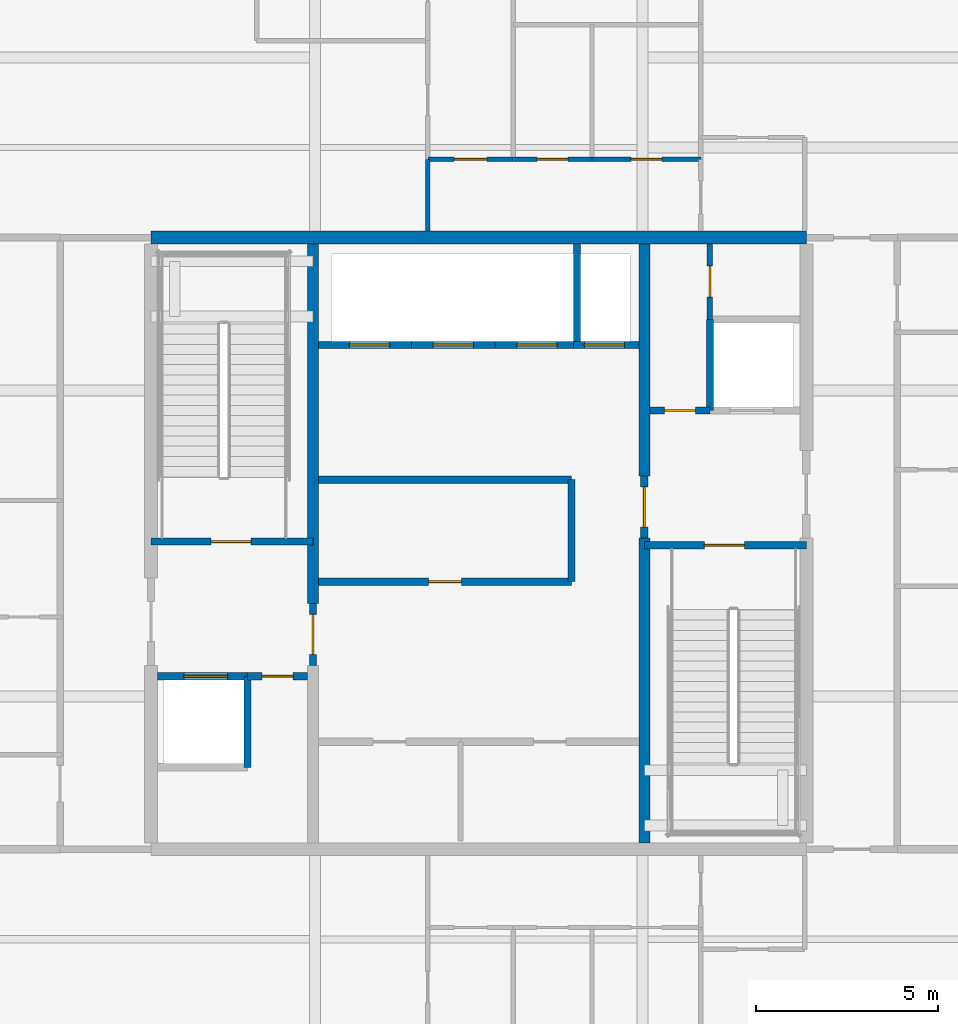
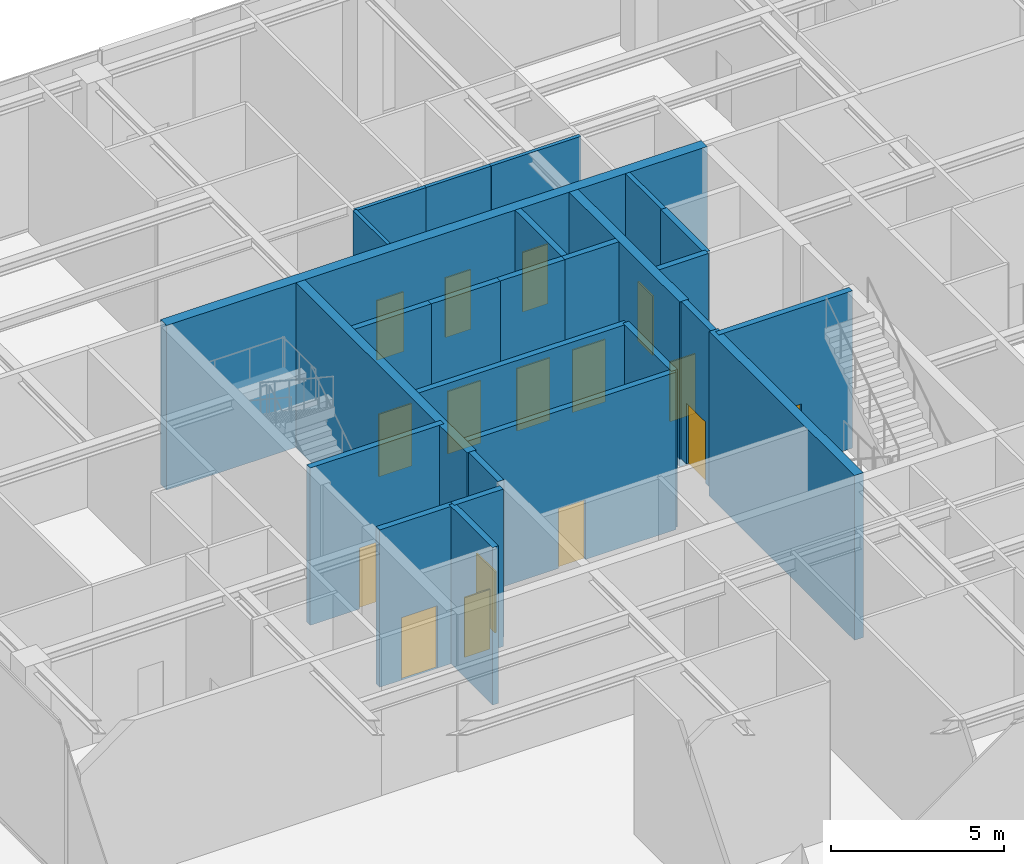
# One storey, part 27 of 38: 26 walls, 16 doors, 16 openings.
"""IFC4 building model written with IfcOpenShell, lengths in metres."""

import ifcopenshell
import ifcopenshell.guid

model = None  # the IFC model being written
_history = None  # IfcOwnerHistory: only IFC2X3 demands one
_inside = {}  # id of a spatial element -> (the spatial element, [elements in it])
_under = {}  # id of a project, library or spatial element -> (it, [spatial elements below it])
_declared = {}  # id of a project -> (the project, [libraries it declares])
_typed = {}  # id of a type object -> (the type object, [elements of that type])
_made_of = {}  # id of a material, layer set ... -> (it, [elements and type objects made of it])


def new_model(schema):
    """Start an empty IFC model of exactly this schema.

    Asked for "IFC4X3", IfcOpenShell would pick the latest addendum, in which some entities
    have other attributes; the version numbers below select the first issue.
    IFC2X3 requires an IfcOwnerHistory on every rooted entity: one is made here for all.
    """
    global model, _history
    if schema == "IFC4X3":
        model = ifcopenshell.file(schema_version=(4, 3, 0, 0))
    else:
        model = ifcopenshell.file(schema=schema)
    _inside.clear()
    _under.clear()
    _declared.clear()
    _typed.clear()
    _made_of.clear()
    _history = None
    if model.schema == "IFC2X3":
        org = make("IfcOrganization", Name="unknown")
        user = make(
            "IfcPersonAndOrganization",
            ThePerson=make("IfcPerson", FamilyName="unknown"),
            TheOrganization=org,
        )
        app = make(
            "IfcApplication",
            ApplicationDeveloper=org,
            Version="unknown",
            ApplicationFullName="unknown",
            ApplicationIdentifier="unknown",
        )
        _history = make(
            "IfcOwnerHistory",
            OwningUser=user,
            OwningApplication=app,
            ChangeAction="ADDED",
            CreationDate=0,
        )
    return model


def make(cls, **values):
    """One entity of the class cls with the attributes given. An attribute that is None is left unset."""
    return model.create_entity(
        cls, **{name: value for name, value in values.items() if value is not None}
    )


def rooted(cls, **values):
    """An entity with a GlobalId (a new one), such as an element, a storey or a relation."""
    return make(cls, GlobalId=ifcopenshell.guid.new(), OwnerHistory=_history, **values)


def si_unit(unit_type, name, prefix=None):
    """IfcSIUnit, for example si_unit("LENGTHUNIT", "METRE", prefix="MILLI")."""
    return make("IfcSIUnit", UnitType=unit_type, Prefix=prefix, Name=name)


def assignment(units):
    """IfcUnitAssignment: the units of a project."""
    return None if units is None else make("IfcUnitAssignment", Units=units)


def point(xyz):
    """IfcCartesianPoint."""
    return None if xyz is None else make("IfcCartesianPoint", Coordinates=xyz)


def direction(xyz):
    """IfcDirection."""
    return None if xyz is None else make("IfcDirection", DirectionRatios=xyz)


def frame(location, z_axis=None, x_axis=None):
    """IfcAxis2Placement3D, a coordinate frame: its origin and axes. An axis left out is left unset."""
    return make(
        "IfcAxis2Placement3D",
        Location=point(location),
        Axis=direction(z_axis),
        RefDirection=direction(x_axis),
    )


def frame_2d(location, x_axis=None):
    """IfcAxis2Placement2D, a coordinate frame in the plane: its origin and x axis."""
    return make(
        "IfcAxis2Placement2D", Location=point(location), RefDirection=direction(x_axis)
    )


def origin():
    """The frame at (0, 0, 0) with its axes left unset."""
    return frame((0.0, 0.0, 0.0))


def place(relative_to, where):
    """IfcLocalPlacement: puts the frame where relative to a parent placement (None: the world)."""
    return make(
        "IfcLocalPlacement", PlacementRelTo=relative_to, RelativePlacement=where
    )


def context(
    kind, dimensions, precision=None, world=None, true_north=None, identifier=None
):
    """IfcGeometricRepresentationContext, for example the 3D "Model" context."""
    return make(
        "IfcGeometricRepresentationContext",
        ContextIdentifier=identifier,
        ContextType=kind,
        CoordinateSpaceDimension=dimensions,
        Precision=precision,
        WorldCoordinateSystem=world,
        TrueNorth=true_north,
    )


def subcontext(parent, identifier, kind, view, scale=None):
    """IfcGeometricRepresentationSubContext, for example "Body" below "Model"."""
    return make(
        "IfcGeometricRepresentationSubContext",
        ContextIdentifier=identifier,
        ContextType=kind,
        ParentContext=parent,
        TargetScale=scale,
        TargetView=view,
    )


def project(units=None, contexts=None):
    """IfcProject with its units and contexts."""
    return rooted(
        "IfcProject",
        Name="project",
        RepresentationContexts=contexts,
        UnitsInContext=assignment(units),
    )


def spatial(cls, under=None, at=None, **own):
    """A site, building, storey or space (cls), placed at a placement, below another one or the project."""
    s = rooted(cls, ObjectPlacement=at, **own)
    if under is not None:
        _under.setdefault(under.id(), (under, []))[1].append(s)
    return s


def profile(cls, at=None, kind="AREA", **sizes):
    """A parametric profile (cls). Its sizes go by their IFC names, for example OverallWidth=200.0."""
    return make(cls, ProfileType=kind, Position=at, **sizes)


def rectangle(**sizes):
    """IfcRectangleProfileDef."""
    return profile("IfcRectangleProfileDef", **sizes)


def extrude(swept, where, along, depth):
    """IfcExtrudedAreaSolid: the profile swept, set in the frame where, extruded along a direction by depth."""
    return make(
        "IfcExtrudedAreaSolid",
        SweptArea=swept,
        Position=where,
        ExtrudedDirection=direction(along),
        Depth=depth,
    )


def shape(context_of_items, identifier, shape_type, items):
    """IfcShapeRepresentation: the items that make up one representation, for example the "Body"."""
    return make(
        "IfcShapeRepresentation",
        ContextOfItems=context_of_items,
        RepresentationIdentifier=identifier,
        RepresentationType=shape_type,
        Items=items,
    )


def source(mapping_origin, context_of_items, identifier, shape_type, items):
    """IfcRepresentationMap: a shape defined once, which mapped items show again and again."""
    return make(
        "IfcRepresentationMap",
        MappingOrigin=mapping_origin,
        MappedRepresentation=shape(context_of_items, identifier, shape_type, items),
    )


def transform(
    local_origin,
    x_axis=None,
    y_axis=None,
    z_axis=None,
    scale=None,
    scale2=None,
    scale3=None,
    uniform=True,
):
    """IfcCartesianTransformationOperator3D, or its non-uniform kind. x_axis, y_axis, z_axis: its Axis1, 2, 3."""
    if uniform:
        return make(
            "IfcCartesianTransformationOperator3D",
            Axis1=direction(x_axis),
            Axis2=direction(y_axis),
            LocalOrigin=point(local_origin),
            Scale=scale,
            Axis3=direction(z_axis),
        )
    return make(
        "IfcCartesianTransformationOperator3DnonUniform",
        Axis1=direction(x_axis),
        Axis2=direction(y_axis),
        LocalOrigin=point(local_origin),
        Scale=scale,
        Axis3=direction(z_axis),
        Scale2=scale2,
        Scale3=scale3,
    )


def mapped(mapping_source, mapping_target):
    """IfcMappedItem: shows the shape of a source again, moved by a transform."""
    return make(
        "IfcMappedItem", MappingSource=mapping_source, MappingTarget=mapping_target
    )


def material(Name=None, Category=None):
    """IfcMaterial."""
    return make("IfcMaterial", Name=Name, Category=Category)


def layer(
    of_material, thickness, ventilated=None, Name=None, Category=None, Priority=None
):
    """IfcMaterialLayer: one layer of a wall or slab, of a material (None: an air gap)."""
    return make(
        "IfcMaterialLayer",
        Material=of_material,
        LayerThickness=thickness,
        IsVentilated=ventilated,
        Name=Name,
        Category=Category,
        Priority=Priority,
    )


def layer_set(layers, Name=None):
    """IfcMaterialLayerSet."""
    return make("IfcMaterialLayerSet", MaterialLayers=layers, LayerSetName=Name)


def made_of(thing, what):
    """Note that an element or type object is made of a material, layer set ...; save() writes the relation."""
    if what is not None:
        _made_of.setdefault(what.id(), (what, []))[1].append(thing)
    return thing


def type_object(cls, material=None, **own):
    """A type object (cls), such as IfcWallType, which elements share."""
    return made_of(rooted(cls, **own), material)


def element(
    cls,
    number,
    at=None,
    inside=None,
    cuts=None,
    type_object=None,
    material=None,
    context=None,
    identifier="Body",
    shape_type=None,
    held_by="IfcProductDefinitionShape",
    body=None,
    shapes=None,
    **own,
):
    """One element of the class cls, such as IfcWall. Its Tag is "e" and its number.

    at: its placement. inside: the storey or other place that contains it. cuts: it is an
    opening in that element (IfcRelVoidsElement). A single representation is given by context,
    identifier, shape_type and body (its items); several are given by shapes. held_by: the class
    of the entity that holds the representations. save() writes the other relations.
    """
    e = rooted(cls, Tag="e%d" % number, ObjectPlacement=at, **own)
    if body is not None:
        shapes = [shape(context, identifier, shape_type, body)]
    if shapes is not None:
        e.Representation = make(held_by, Representations=shapes)
    if inside is not None:
        _inside.setdefault(inside.id(), (inside, []))[1].append(e)
    if cuts is not None:
        rooted(
            "IfcRelVoidsElement", RelatingBuildingElement=cuts, RelatedOpeningElement=e
        )
    if type_object is not None:
        _typed.setdefault(type_object.id(), (type_object, []))[1].append(e)
    return made_of(e, material)


def fill(opening, filler):
    """IfcRelFillsElement: the door or window that sits in an opening."""
    return rooted(
        "IfcRelFillsElement",
        RelatingOpeningElement=opening,
        RelatedBuildingElement=filler,
    )


def aggregate(whole, parts):
    """IfcRelAggregates: a whole, such as a stair, and the parts it consists of."""
    return rooted("IfcRelAggregates", RelatingObject=whole, RelatedObjects=parts)


def save(model, path):
    """Write the relations noted so far, then the file.

    IfcRelAggregates (storeys below a building ...), IfcRelContainedInSpatialStructure (elements
    in a storey), IfcRelDefinesByType, IfcRelAssociatesMaterial and IfcRelDeclares: one each for
    every whole, place, type object, material and project.
    """
    for whole, parts in _under.values():
        aggregate(whole, parts)
    for where, things in _inside.values():
        rooted(
            "IfcRelContainedInSpatialStructure",
            RelatedElements=things,
            RelatingStructure=where,
        )
    for kind, things in _typed.values():
        rooted("IfcRelDefinesByType", RelatedObjects=things, RelatingType=kind)
    for what, things in _made_of.values():
        rooted("IfcRelAssociatesMaterial", RelatedObjects=things, RelatingMaterial=what)
    for by, libraries in _declared.values():
        rooted("IfcRelDeclares", RelatingContext=by, RelatedDefinitions=libraries)
    model.write(path)


model = new_model("IFC4")

# Units and contexts
model_context = context("Model", 3, precision=1e-05, world=origin(), true_north=direction((0.0, 1.0)))
body_context = subcontext(model_context, "Body", "Model", "MODEL_VIEW")
ifc_project = project(units=[si_unit("LENGTHUNIT", "METRE"), si_unit("AREAUNIT", "SQUARE_METRE"), si_unit("VOLUMEUNIT", "CUBIC_METRE"), si_unit("PLANEANGLEUNIT", "RADIAN"), si_unit("MASSUNIT", "GRAM", prefix="KILO")], contexts=[model_context])

# Site, building, storey
site_placement = place(None, origin())
site = spatial("IfcSite", under=ifc_project, at=site_placement, CompositionType="ELEMENT")
building_placement = place(site_placement, origin())
building = spatial("IfcBuilding", under=site, at=building_placement, Name="Serunith Strait Residences", CompositionType="ELEMENT")
storey_placement = place(building_placement, frame((0.0, 0.0, 353.85009765625)))
storey = spatial("IfcBuildingStorey", under=building, at=storey_placement, Name="L87", CompositionType="ELEMENT", Elevation=353.85009765625)

# Wall, opening, door
ifc_material_1 = material(Name="Fire-rated masonry service closet wall", Category="masonry")
ifc_layer_1 = layer(ifc_material_1, 0.14990234375, Name="Fire-rated masonry service closet wall")
ifc_layer_set_1 = layer_set([ifc_layer_1], Name="Fire-rated masonry service closet wall")
wall_type_1 = type_object("IfcWallType", Name="IW-BOH-150", PredefinedType="PARTITIONING", material=ifc_layer_set_1)
wall_1_placement = place(storey_placement, frame((38.75, 31.35205078125, 0.0), z_axis=(0.0, 0.0, 1.0), x_axis=(0.0, 1.0, 0.0)))
wall_1 = element("IfcWall", 1, at=wall_1_placement, inside=storey, type_object=wall_type_1, Name="L87 Partition Wall 011", PredefinedType="PARTITIONING", context=body_context, shape_type="SweptSolid", body=[
    extrude(rectangle(XDim=2.072998046875, YDim=0.14990234375, at=frame_2d((1.03662109375, 0.0))), origin(), (0.0, 0.0, 1.0), 5.539794921875),
])
opening_1_placement = place(wall_1_placement, frame((0.611083984375, 0.0, 0.0)))
opening_1 = element("IfcOpeningElement", 2, at=opening_1_placement, cuts=wall_1, Name="Opening FD-850", PredefinedType="OPENING", context=body_context, shape_type="SweptSolid", body=[
    extrude(rectangle(XDim=0.85009765625, YDim=2.10009765625, at=frame_2d((0.425048828125, 1.050048828125))), frame((0.0, 0.0849609375, 0.0), z_axis=(0.0, -1.0, 0.0), x_axis=(1.0, 0.0, 0.0)), (0.0, 0.0, 1.0), 0.169921875),
])
ifc_material_2 = material(Name="Powder-coated steel service closet door", Category="steel")
door_type_1 = type_object("IfcDoorType", Name="FD-BOH-850", OperationType="NOTDEFINED", PredefinedType="DOOR", material=ifc_material_2)
shared_shape_1 = source(origin(), body_context, "Body", "SweptSolid", [
    extrude(rectangle(XDim=0.85009765625, YDim=2.10009765625, at=frame_2d((0.425048828125, 1.050048828125))), frame((0.0, 0.02490234375, 0.0), z_axis=(0.0, -1.0, 0.0), x_axis=(1.0, 0.0, 0.0)), (0.0, 0.0, 1.0), 0.050048828125),
])
door_1_placement = place(opening_1_placement, origin())
door_1 = element("IfcDoor", 3, at=door_1_placement, inside=storey, type_object=door_type_1, Name="L87 ELV Data Closet Door", OperationType="SINGLE_SWING_RIGHT", OverallHeight=2.10009765625, OverallWidth=0.85009765625, PredefinedType="DOOR", context=body_context, shape_type="MappedRepresentation", body=[
    mapped(shared_shape_1, transform((0.0, 0.0, 0.0), scale=1.0)),
])
fill(opening_1, door_1)

ifc_material_3 = material(Name="Lightweight steel-stud gypsum partition", Category="steel")
ifc_layer_2 = layer(ifc_material_3, 0.1201171875, Name="Lightweight steel-stud gypsum partition")
ifc_layer_set_2 = layer_set([ifc_layer_2], Name="Lightweight steel-stud gypsum partition")
wall_type_2 = type_object("IfcWallType", Name="IW-PART-120", PredefinedType="PARTITIONING", material=ifc_layer_set_2)
wall_2_placement = place(storey_placement, frame((33.35009765625, 35.75, 0.0), z_axis=(0.0, 0.0, 1.0), x_axis=(1.0, 0.0, 0.0)))
wall_2 = element("IfcWall", 4, at=wall_2_placement, inside=storey, type_object=wall_type_2, Name="L87 Partition Wall 056", PredefinedType="PARTITIONING", context=body_context, shape_type="SweptSolid", body=[
    extrude(rectangle(XDim=2.162841796875, YDim=0.1201171875, at=frame_2d((1.08154296875, 0.0))), origin(), (0.0, 0.0, 1.0), 5.539794921875),
])
opening_2_placement = place(wall_2_placement, frame((0.656005859375, 0.0, 0.0)))
opening_2 = element("IfcOpeningElement", 5, at=opening_2_placement, cuts=wall_2, Name="Opening D-BTH850", PredefinedType="OPENING", context=body_context, shape_type="SweptSolid", body=[
    extrude(rectangle(XDim=0.85009765625, YDim=2.10009765625, at=frame_2d((0.425048828125, 1.050048828125))), frame((0.0, 0.070068359375, 0.0), z_axis=(0.0, -1.0, 0.0), x_axis=(1.0, 0.0, 0.0)), (0.0, 0.0, 1.0), 0.14013671875),
])
ifc_material_4 = material(Name="Moisture-resistant timber bathroom door", Category="wood")
door_type_2 = type_object("IfcDoorType", Name="ID-BATH-850", OperationType="NOTDEFINED", PredefinedType="DOOR", material=ifc_material_4)
door_2_placement = place(opening_2_placement, origin())
door_2 = element("IfcDoor", 6, at=door_2_placement, inside=storey, type_object=door_type_2, Name="L87 Bathroom 8702 Door", OperationType="SINGLE_SWING_LEFT", OverallHeight=2.10009765625, OverallWidth=0.85009765625, PredefinedType="DOOR", context=body_context, shape_type="MappedRepresentation", body=[
    mapped(shared_shape_1, transform((0.0, 0.0, 0.0), scale=1.0)),
])
fill(opening_2, door_2)

wall_3_placement = place(storey_placement, frame((35.514892578125, 35.75, 0.0), z_axis=(0.0, 0.0, 1.0), x_axis=(1.0, 0.0, 0.0)))
wall_3 = element("IfcWall", 7, at=wall_3_placement, inside=storey, type_object=wall_type_2, Name="L87 Partition Wall 057", PredefinedType="PARTITIONING", context=body_context, shape_type="SweptSolid", body=[
    extrude(rectangle(XDim=2.985107421875, YDim=0.1201171875, at=frame_2d((1.49267578125, 0.0))), origin(), (0.0, 0.0, 1.0), 5.539794921875),
])
opening_3_placement = place(wall_3_placement, frame((1.06689453125, 0.0, 0.0)))
opening_3 = element("IfcOpeningElement", 8, at=opening_3_placement, cuts=wall_3, Name="Opening D-RM850", PredefinedType="OPENING", context=body_context, shape_type="SweptSolid", body=[
    extrude(rectangle(XDim=0.85009765625, YDim=2.10009765625, at=frame_2d((0.425048828125, 1.050048828125))), frame((0.0, 0.070068359375, 0.0), z_axis=(0.0, -1.0, 0.0), x_axis=(1.0, 0.0, 0.0)), (0.0, 0.0, 1.0), 0.14013671875),
])
ifc_material_5 = material(Name="Engineered timber flush study and kitchen door", Category="wood")
door_type_3 = type_object("IfcDoorType", Name="ID-ROOM-850", OperationType="NOTDEFINED", PredefinedType="DOOR", material=ifc_material_5)
door_3_placement = place(opening_3_placement, origin())
door_3 = element("IfcDoor", 9, at=door_3_placement, inside=storey, type_object=door_type_3, Name="L87 Formal Dining Room 8702 Door", OperationType="SINGLE_SWING_RIGHT", OverallHeight=2.10009765625, OverallWidth=0.85009765625, PredefinedType="DOOR", context=body_context, shape_type="MappedRepresentation", body=[
    mapped(shared_shape_1, transform((0.0, 0.0, 0.0), scale=1.0)),
])
fill(opening_3, door_3)

wall_4_placement = place(storey_placement, frame((31.0, 35.75, 0.0), z_axis=(0.0, 0.0, 1.0), x_axis=(1.0, 0.0, 0.0)))
wall_4 = element("IfcWall", 10, at=wall_4_placement, inside=storey, type_object=wall_type_2, Name="L87 Partition Wall 058", PredefinedType="PARTITIONING", context=body_context, shape_type="SweptSolid", body=[
    extrude(rectangle(XDim=2.347900390625, YDim=0.1201171875, at=frame_2d((1.173828125, 0.0))), origin(), (0.0, 0.0, 1.0), 5.539794921875),
])
opening_4_placement = place(wall_4_placement, frame((0.72412109375, 0.0, 0.0)))
opening_4 = element("IfcOpeningElement", 11, at=opening_4_placement, cuts=wall_4, Name="Opening D-RM900", PredefinedType="OPENING", context=body_context, shape_type="SweptSolid", body=[
    extrude(rectangle(XDim=0.89990234375, YDim=2.10009765625, at=frame_2d((0.449951171875, 1.050048828125))), frame((0.0, 0.070068359375, 0.0), z_axis=(0.0, -1.0, 0.0), x_axis=(1.0, 0.0, 0.0)), (0.0, 0.0, 1.0), 0.14013671875),
])
ifc_material_6 = material(Name="Engineered timber flush bedroom door", Category="wood")
door_type_4 = type_object("IfcDoorType", Name="ID-ROOM-900", OperationType="NOTDEFINED", PredefinedType="DOOR", material=ifc_material_6)
shared_shape_2 = source(origin(), body_context, "Body", "SweptSolid", [
    extrude(rectangle(XDim=0.89990234375, YDim=2.10009765625, at=frame_2d((0.449951171875, 1.050048828125))), frame((0.0, 0.02490234375, 0.0), z_axis=(0.0, -1.0, 0.0), x_axis=(1.0, 0.0, 0.0)), (0.0, 0.0, 1.0), 0.050048828125),
])
door_4_placement = place(opening_4_placement, origin())
door_4 = element("IfcDoor", 12, at=door_4_placement, inside=storey, type_object=door_type_4, Name="L87 Master Bedroom W 8702 Door", OperationType="SINGLE_SWING_LEFT", OverallHeight=2.10009765625, OverallWidth=0.89990234375, PredefinedType="DOOR", context=body_context, shape_type="MappedRepresentation", body=[
    mapped(shared_shape_2, transform((0.0, 0.0, 0.0), scale=1.0)),
])
fill(opening_4, door_4)

# Wall
wall_5_placement = place(storey_placement, frame((31.0, 35.748046875, 0.0), z_axis=(0.0, 0.0, 1.0), x_axis=(0.0, -1.0, 0.0)))
element("IfcWall", 13, at=wall_5_placement, inside=storey, type_object=wall_type_2, Name="L87 Partition Wall 064", PredefinedType="PARTITIONING", context=body_context, shape_type="SweptSolid", body=[
    extrude(rectangle(XDim=1.97314453125, YDim=0.1201171875, at=frame_2d((0.986572265625, 0.0))), origin(), (0.0, 0.0, 1.0), 5.539794921875),
])

# Wall, opening, door
ifc_material_7 = material(Name="Autoclaved aerated concrete blockwork", Category="masonry")
ifc_layer_3 = layer(ifc_material_7, 0.199951171875, Name="Autoclaved aerated concrete blockwork")
ifc_layer_set_3 = layer_set([ifc_layer_3], Name="Autoclaved aerated concrete blockwork")
wall_type_3 = type_object("IfcWallType", Name="IW-SHAFT-200", PredefinedType="STANDARD", material=ifc_layer_set_3)
wall_6_placement = place(storey_placement, frame((23.39990234375, 25.25, 0.0), z_axis=(0.0, 0.0, 1.0), x_axis=(1.0, 0.0, 0.0)))
wall_6 = element("IfcWall", 14, at=wall_6_placement, inside=storey, type_object=wall_type_3, Name="L87 ST-1 South Shaft Wall", PredefinedType="STANDARD", context=body_context, shape_type="SweptSolid", body=[
    extrude(rectangle(XDim=4.4501953125, YDim=0.199951171875, at=frame_2d((2.22509765625, 0.0))), origin(), (0.0, 0.0, 1.0), 5.539794921875),
])
opening_5_placement = place(wall_6_placement, frame((1.64990234375, 0.0, 0.0)))
opening_5 = element("IfcOpeningElement", 15, at=opening_5_placement, cuts=wall_6, Name="Opening FD-1100", PredefinedType="OPENING", context=body_context, shape_type="SweptSolid", body=[
    extrude(rectangle(XDim=1.10009765625, YDim=2.14990234375, at=frame_2d((0.550048828125, 1.074951171875))), frame((0.0, 0.10986328125, 0.0), z_axis=(0.0, -1.0, 0.0), x_axis=(1.0, 0.0, 0.0)), (0.0, 0.0, 1.0), 0.219970703125),
])
ifc_material_8 = material(Name="Galvanised steel fire door leaf", Category="steel")
door_type_5 = type_object("IfcDoorType", Name="FD-STAIR-1100", OperationType="NOTDEFINED", PredefinedType="DOOR", material=ifc_material_8)
shared_shape_3 = source(origin(), body_context, "Body", "SweptSolid", [
    extrude(rectangle(XDim=1.10009765625, YDim=2.14990234375, at=frame_2d((0.550048828125, 1.074951171875))), frame((0.0, 0.02490234375, 0.0), z_axis=(0.0, -1.0, 0.0), x_axis=(1.0, 0.0, 0.0)), (0.0, 0.0, 1.0), 0.050048828125),
])
door_5_placement = place(opening_5_placement, origin())
door_5 = element("IfcDoor", 16, at=door_5_placement, inside=storey, type_object=door_type_5, Name="L87 ST-1 Escape Stair Door", OperationType="SINGLE_SWING_LEFT", OverallHeight=2.14990234375, OverallWidth=1.10009765625, PredefinedType="DOOR", context=body_context, shape_type="MappedRepresentation", body=[
    mapped(shared_shape_3, transform((0.0, 0.0, 0.0), scale=1.0)),
])
fill(opening_5, door_5)

wall_7_placement = place(storey_placement, frame((36.949951171875, 25.14990234375, 0.0), z_axis=(0.0, 0.0, 1.0), x_axis=(1.0, 0.0, 0.0)))
wall_7 = element("IfcWall", 17, at=wall_7_placement, inside=storey, type_object=wall_type_3, Name="L87 ST-2 North Shaft Wall", PredefinedType="STANDARD", context=body_context, shape_type="SweptSolid", body=[
    extrude(rectangle(XDim=4.449951171875, YDim=0.199951171875, at=frame_2d((2.22509765625, 0.0))), origin(), (0.0, 0.0, 1.0), 5.539794921875),
])
opening_6_placement = place(wall_7_placement, frame((1.64990234375, 0.0, 0.0)))
opening_6 = element("IfcOpeningElement", 18, at=opening_6_placement, cuts=wall_7, Name="Opening FD-1100", PredefinedType="OPENING", context=body_context, shape_type="SweptSolid", body=[
    extrude(rectangle(XDim=1.10009765625, YDim=2.14990234375, at=frame_2d((0.550048828125, 1.074951171875))), frame((0.0, 0.10986328125, 0.0), z_axis=(0.0, -1.0, 0.0), x_axis=(1.0, 0.0, 0.0)), (0.0, 0.0, 1.0), 0.219970703125),
])
door_6_placement = place(opening_6_placement, origin())
door_6 = element("IfcDoor", 19, at=door_6_placement, inside=storey, type_object=door_type_5, Name="L87 ST-2 Escape Stair Door", OperationType="SINGLE_SWING_RIGHT", OverallHeight=2.14990234375, OverallWidth=1.10009765625, PredefinedType="DOOR", context=body_context, shape_type="MappedRepresentation", body=[
    mapped(shared_shape_3, transform((0.0, 0.0, 0.0), scale=1.0)),
])
fill(opening_6, door_6)

wall_8_placement = place(storey_placement, frame((23.574951171875, 21.550048828125, 0.0), z_axis=(0.0, 0.0, 1.0), x_axis=(1.0, 0.0, 0.0)))
wall_8 = element("IfcWall", 20, at=wall_8_placement, inside=storey, type_object=wall_type_3, Name="L87 FL-1 North Shaft Wall", PredefinedType="STANDARD", context=body_context, shape_type="SweptSolid", body=[
    extrude(rectangle(XDim=2.47509765625, YDim=0.199951171875, at=frame_2d((1.237548828125, 0.0))), origin(), (0.0, 0.0, 1.0), 5.539794921875),
])
opening_7_placement = place(wall_8_placement, frame((0.72509765625, 0.0, 0.0)))
opening_7 = element("IfcOpeningElement", 21, at=opening_7_placement, cuts=wall_8, Name="Opening LD-FF1200", PredefinedType="OPENING", context=body_context, shape_type="SweptSolid", body=[
    extrude(rectangle(XDim=1.199951171875, YDim=2.199951171875, at=frame_2d((0.60009765625, 1.10009765625))), frame((0.0, 0.10986328125, 0.0), z_axis=(0.0, -1.0, 0.0), x_axis=(1.0, 0.0, 0.0)), (0.0, 0.0, 1.0), 0.219970703125),
])
ifc_material_9 = material(Name="Brushed stainless steel landing door", Category="steel")
door_type_6 = type_object("IfcDoorType", Name="LD-FF-1200", OperationType="DOUBLE_DOOR_SLIDING", PredefinedType="DOOR", material=ifc_material_9)
shared_shape_4 = source(origin(), body_context, "Body", "SweptSolid", [
    extrude(rectangle(XDim=1.199951171875, YDim=2.199951171875, at=frame_2d((0.60009765625, 1.10009765625))), frame((0.0, 0.02490234375, 0.0), z_axis=(0.0, -1.0, 0.0), x_axis=(1.0, 0.0, 0.0)), (0.0, 0.0, 1.0), 0.050048828125),
])
door_7_placement = place(opening_7_placement, origin())
door_7 = element("IfcDoor", 22, at=door_7_placement, inside=storey, type_object=door_type_6, Name="L87 FL-1 Landing Door", OperationType="DOUBLE_DOOR_SLIDING", OverallHeight=2.199951171875, OverallWidth=1.199951171875, PredefinedType="DOOR", context=body_context, shape_type="MappedRepresentation", body=[
    mapped(shared_shape_4, transform((0.0, 0.0, 0.0), scale=1.0)),
])
fill(opening_7, door_7)

wall_9_placement = place(storey_placement, frame((28.0, 30.64990234375, 0.0), z_axis=(0.0, 0.0, 1.0), x_axis=(1.0, 0.0, 0.0)))
wall_9 = element("IfcWall", 23, at=wall_9_placement, inside=storey, type_object=wall_type_3, Name="L87 PL-7 South Shaft Wall", PredefinedType="STANDARD", context=body_context, shape_type="SweptSolid", body=[
    extrude(rectangle(XDim=2.550048828125, YDim=0.199951171875, at=frame_2d((1.27490234375, 0.0))), origin(), (0.0, 0.0, 1.0), 5.539794921875),
])
opening_8_placement = place(wall_9_placement, frame((0.85009765625, 0.0, 0.0)))
opening_8 = element("IfcOpeningElement", 24, at=opening_8_placement, cuts=wall_9, Name="Opening LD-1100", PredefinedType="OPENING", context=body_context, shape_type="SweptSolid", body=[
    extrude(rectangle(XDim=1.10009765625, YDim=2.199951171875, at=frame_2d((0.550048828125, 1.10009765625))), frame((0.0, 0.10986328125, 0.0), z_axis=(0.0, -1.0, 0.0), x_axis=(1.0, 0.0, 0.0)), (0.0, 0.0, 1.0), 0.219970703125),
])
ifc_material_10 = material(Name="Pale-champagne stainless landing door")
door_type_7 = type_object("IfcDoorType", Name="LD-LIFT-1100", OperationType="DOUBLE_DOOR_SLIDING", PredefinedType="DOOR", material=ifc_material_10)
shared_shape_5 = source(origin(), body_context, "Body", "SweptSolid", [
    extrude(rectangle(XDim=1.10009765625, YDim=2.199951171875, at=frame_2d((0.550048828125, 1.10009765625))), frame((0.0, 0.02490234375, 0.0), z_axis=(0.0, -1.0, 0.0), x_axis=(1.0, 0.0, 0.0)), (0.0, 0.0, 1.0), 0.050048828125),
])
door_8_placement = place(opening_8_placement, origin())
door_8 = element("IfcDoor", 25, at=door_8_placement, inside=storey, type_object=door_type_7, Name="L87 PL-7 Landing Door", OperationType="DOUBLE_DOOR_SLIDING", OverallHeight=2.199951171875, OverallWidth=1.10009765625, PredefinedType="DOOR", context=body_context, shape_type="MappedRepresentation", body=[
    mapped(shared_shape_5, transform((0.0, 0.0, 0.0), scale=1.0)),
])
fill(opening_8, door_8)

wall_10_placement = place(storey_placement, frame((30.550048828125, 30.64990234375, 0.0), z_axis=(0.0, 0.0, 1.0), x_axis=(1.0, 0.0, 0.0)))
wall_10 = element("IfcWall", 26, at=wall_10_placement, inside=storey, type_object=wall_type_3, Name="L87 PL-8 South Shaft Wall", PredefinedType="STANDARD", context=body_context, shape_type="SweptSolid", body=[
    extrude(rectangle(XDim=2.300048828125, YDim=0.199951171875, at=frame_2d((1.14990234375, 0.0))), origin(), (0.0, 0.0, 1.0), 5.539794921875),
])
opening_9_placement = place(wall_10_placement, frame((0.60009765625, 0.0, 0.0)))
opening_9 = element("IfcOpeningElement", 27, at=opening_9_placement, cuts=wall_10, Name="Opening LD-1100", PredefinedType="OPENING", context=body_context, shape_type="SweptSolid", body=[
    extrude(rectangle(XDim=1.10009765625, YDim=2.199951171875, at=frame_2d((0.550048828125, 1.10009765625))), frame((0.0, 0.10986328125, 0.0), z_axis=(0.0, -1.0, 0.0), x_axis=(1.0, 0.0, 0.0)), (0.0, 0.0, 1.0), 0.219970703125),
])
door_9_placement = place(opening_9_placement, origin())
door_9 = element("IfcDoor", 28, at=door_9_placement, inside=storey, type_object=door_type_7, Name="L87 PL-8 Landing Door", OperationType="DOUBLE_DOOR_SLIDING", OverallHeight=2.199951171875, OverallWidth=1.10009765625, PredefinedType="DOOR", context=body_context, shape_type="MappedRepresentation", body=[
    mapped(shared_shape_5, transform((0.0, 0.0, 0.0), scale=1.0)),
])
fill(opening_9, door_9)

wall_11_placement = place(storey_placement, frame((32.85009765625, 30.64990234375, 0.0), z_axis=(0.0, 0.0, 1.0), x_axis=(1.0, 0.0, 0.0)))
wall_11 = element("IfcWall", 29, at=wall_11_placement, inside=storey, type_object=wall_type_3, Name="L87 PL-9 South Shaft Wall", PredefinedType="STANDARD", context=body_context, shape_type="SweptSolid", body=[
    extrude(rectangle(XDim=2.14990234375, YDim=0.199951171875, at=frame_2d((1.074951171875, 0.0))), origin(), (0.0, 0.0, 1.0), 5.539794921875),
])
opening_10_placement = place(wall_11_placement, frame((0.60009765625, 0.0, 0.0)))
opening_10 = element("IfcOpeningElement", 30, at=opening_10_placement, cuts=wall_11, Name="Opening LD-1100", PredefinedType="OPENING", context=body_context, shape_type="SweptSolid", body=[
    extrude(rectangle(XDim=1.10009765625, YDim=2.199951171875, at=frame_2d((0.550048828125, 1.10009765625))), frame((0.0, 0.10986328125, 0.0), z_axis=(0.0, -1.0, 0.0), x_axis=(1.0, 0.0, 0.0)), (0.0, 0.0, 1.0), 0.219970703125),
])
door_10_placement = place(opening_10_placement, origin())
door_10 = element("IfcDoor", 31, at=door_10_placement, inside=storey, type_object=door_type_7, Name="L87 PL-9 Landing Door", OperationType="DOUBLE_DOOR_SLIDING", OverallHeight=2.199951171875, OverallWidth=1.10009765625, PredefinedType="DOOR", context=body_context, shape_type="MappedRepresentation", body=[
    mapped(shared_shape_5, transform((0.0, 0.0, 0.0), scale=1.0)),
])
fill(opening_10, door_10)

wall_12_placement = place(storey_placement, frame((35.0, 30.64990234375, 0.0), z_axis=(0.0, 0.0, 1.0), x_axis=(1.0, 0.0, 0.0)))
wall_12 = element("IfcWall", 32, at=wall_12_placement, inside=storey, type_object=wall_type_3, Name="L87 SL-1 South Shaft Wall", PredefinedType="STANDARD", context=body_context, shape_type="SweptSolid", body=[
    extrude(rectangle(XDim=1.800048828125, YDim=0.199951171875, at=frame_2d((0.89990234375, 0.0))), origin(), (0.0, 0.0, 1.0), 5.539794921875),
])
opening_11_placement = place(wall_12_placement, frame((0.300048828125, 0.0, 0.0)))
opening_11 = element("IfcOpeningElement", 33, at=opening_11_placement, cuts=wall_12, Name="Opening LD-1100", PredefinedType="OPENING", context=body_context, shape_type="SweptSolid", body=[
    extrude(rectangle(XDim=1.10009765625, YDim=2.199951171875, at=frame_2d((0.550048828125, 1.10009765625))), frame((0.0, 0.10986328125, 0.0), z_axis=(0.0, -1.0, 0.0), x_axis=(1.0, 0.0, 0.0)), (0.0, 0.0, 1.0), 0.219970703125),
])
door_11_placement = place(opening_11_placement, origin())
door_11 = element("IfcDoor", 34, at=door_11_placement, inside=storey, type_object=door_type_7, Name="L87 SL-1 Landing Door", OperationType="DOUBLE_DOOR_SLIDING", OverallHeight=2.199951171875, OverallWidth=1.10009765625, PredefinedType="DOOR", context=body_context, shape_type="MappedRepresentation", body=[
    mapped(shared_shape_5, transform((0.0, 0.0, 0.0), scale=1.0)),
])
fill(opening_11, door_11)

# Walls
wall_13_placement = place(storey_placement, frame((35.10009765625, 30.75, 0.0), z_axis=(0.0, 0.0, 1.0), x_axis=(0.0, 1.0, 0.0)))
element("IfcWall", 35, at=wall_13_placement, inside=storey, type_object=wall_type_3, Name="L87 SL-1 West Shaft Wall", PredefinedType="STANDARD", context=body_context, shape_type="SweptSolid", body=[
    extrude(rectangle(XDim=2.675048828125, YDim=0.199951171875, at=frame_2d((1.33740234375, 0.0))), origin(), (0.0, 0.0, 1.0), 5.539794921875),
])
wall_14_placement = place(storey_placement, frame((26.050048828125, 19.050048828125, 0.0), z_axis=(0.0, 0.0, 1.0), x_axis=(0.0, 1.0, 0.0)))
element("IfcWall", 36, at=wall_14_placement, inside=storey, type_object=wall_type_3, Name="L87 Partition Wall 001", PredefinedType="STANDARD", context=body_context, shape_type="SweptSolid", body=[
    extrude(rectangle(XDim=2.5, YDim=0.199951171875, at=frame_2d((1.25, 0.0))), origin(), (0.0, 0.0, 1.0), 5.539794921875),
])

# Wall, opening, door
wall_15_placement = place(storey_placement, frame((26.052001953125, 21.550048828125, 0.0), z_axis=(0.0, 0.0, 1.0), x_axis=(1.0, 0.0, 0.0)))
wall_15 = element("IfcWall", 37, at=wall_15_placement, inside=storey, type_object=wall_type_3, Name="L87 Partition Wall 003", PredefinedType="STANDARD", context=body_context, shape_type="SweptSolid", body=[
    extrude(rectangle(XDim=1.64794921875, YDim=0.199951171875, at=frame_2d((0.823974609375, 0.0))), origin(), (0.0, 0.0, 1.0), 5.539794921875),
])
opening_12_placement = place(wall_15_placement, frame((0.39892578125, 0.0, 0.0)))
opening_12 = element("IfcOpeningElement", 38, at=opening_12_placement, cuts=wall_15, Name="Opening FD-850", PredefinedType="OPENING", context=body_context, shape_type="SweptSolid", body=[
    extrude(rectangle(XDim=0.85009765625, YDim=2.10009765625, at=frame_2d((0.425048828125, 1.050048828125))), frame((0.0, 0.10986328125, 0.0), z_axis=(0.0, -1.0, 0.0), x_axis=(1.0, 0.0, 0.0)), (0.0, 0.0, 1.0), 0.219970703125),
])
door_12_placement = place(opening_12_placement, origin())
door_12 = element("IfcDoor", 39, at=door_12_placement, inside=storey, type_object=door_type_1, Name="L87 South-West Core Service Door", OperationType="SINGLE_SWING_RIGHT", OverallHeight=2.10009765625, OverallWidth=0.85009765625, PredefinedType="DOOR", context=body_context, shape_type="MappedRepresentation", body=[
    mapped(shared_shape_1, transform((0.0, 0.0, 0.0), scale=1.0)),
])
fill(opening_12, door_12)

# Wall
wall_16_placement = place(storey_placement, frame((38.75, 28.85009765625, 0.0), z_axis=(0.0, 0.0, 1.0), x_axis=(0.0, 1.0, 0.0)))
element("IfcWall", 40, at=wall_16_placement, inside=storey, type_object=wall_type_3, Name="L87 Partition Wall 004", PredefinedType="STANDARD", context=body_context, shape_type="SweptSolid", body=[
    extrude(rectangle(XDim=2.5, YDim=0.199951171875, at=frame_2d((1.25, 0.0))), origin(), (0.0, 0.0, 1.0), 5.539794921875),
])

# Wall, opening, door
wall_17_placement = place(storey_placement, frame((37.10009765625, 28.85009765625, 0.0), z_axis=(0.0, 0.0, 1.0), x_axis=(1.0, 0.0, 0.0)))
wall_17 = element("IfcWall", 41, at=wall_17_placement, inside=storey, type_object=wall_type_3, Name="L87 Partition Wall 006", PredefinedType="STANDARD", context=body_context, shape_type="SweptSolid", body=[
    extrude(rectangle(XDim=1.64794921875, YDim=0.199951171875, at=frame_2d((0.823974609375, 0.0))), origin(), (0.0, 0.0, 1.0), 5.539794921875),
])
opening_13_placement = place(wall_17_placement, frame((0.39892578125, 0.0, 0.0)))
opening_13 = element("IfcOpeningElement", 42, at=opening_13_placement, cuts=wall_17, Name="Opening FD-850", PredefinedType="OPENING", context=body_context, shape_type="SweptSolid", body=[
    extrude(rectangle(XDim=0.85009765625, YDim=2.10009765625, at=frame_2d((0.425048828125, 1.050048828125))), frame((0.0, 0.10986328125, 0.0), z_axis=(0.0, -1.0, 0.0), x_axis=(1.0, 0.0, 0.0)), (0.0, 0.0, 1.0), 0.219970703125),
])
door_13_placement = place(opening_13_placement, origin())
door_13 = element("IfcDoor", 43, at=door_13_placement, inside=storey, type_object=door_type_1, Name="L87 North-East Core Service Door", OperationType="SINGLE_SWING_LEFT", OverallHeight=2.10009765625, OverallWidth=0.85009765625, PredefinedType="DOOR", context=body_context, shape_type="MappedRepresentation", body=[
    mapped(shared_shape_1, transform((0.0, 0.0, 0.0), scale=1.0)),
])
fill(opening_13, door_13)

wall_18_placement = place(storey_placement, frame((27.85009765625, 21.85205078125, 0.0), z_axis=(0.0, 0.0, 1.0), x_axis=(0.0, 1.0, 0.0)))
wall_18 = element("IfcWall", 44, at=wall_18_placement, inside=storey, type_object=wall_type_3, Name="L87 Partition Wall 009", PredefinedType="STANDARD", context=body_context, shape_type="SweptSolid", body=[
    extrude(rectangle(XDim=1.696044921875, YDim=0.199951171875, at=frame_2d((0.84814453125, 0.0))), origin(), (0.0, 0.0, 1.0), 5.539794921875),
])
opening_14_placement = place(wall_18_placement, frame((0.298095703125, 0.0, 0.0)))
opening_14 = element("IfcOpeningElement", 45, at=opening_14_placement, cuts=wall_18, Name="Opening FD-FFL", PredefinedType="OPENING", context=body_context, shape_type="SweptSolid", body=[
    extrude(rectangle(XDim=1.10009765625, YDim=2.14990234375, at=frame_2d((0.550048828125, 1.074951171875))), frame((0.0, 0.10986328125, 0.0), z_axis=(0.0, -1.0, 0.0), x_axis=(1.0, 0.0, 0.0)), (0.0, 0.0, 1.0), 0.219970703125),
])
ifc_material_11 = material(Name="Glazed steel smoke-lobby fire door", Category="steel")
door_type_8 = type_object("IfcDoorType", Name="FD-FFL-1100", OperationType="NOTDEFINED", PredefinedType="DOOR", material=ifc_material_11)
door_14_placement = place(opening_14_placement, origin())
door_14 = element("IfcDoor", 46, at=door_14_placement, inside=storey, type_object=door_type_8, Name="L87 FFL-1 Lift Lobby Door", OperationType="SINGLE_SWING_RIGHT", OverallHeight=2.14990234375, OverallWidth=1.10009765625, PredefinedType="DOOR", context=body_context, shape_type="MappedRepresentation", body=[
    mapped(shared_shape_3, transform((0.0, 0.0, 0.0), scale=1.0)),
])
fill(opening_14, door_14)

wall_19_placement = place(storey_placement, frame((36.949951171875, 25.35205078125, 0.0), z_axis=(0.0, 0.0, 1.0), x_axis=(0.0, 1.0, 0.0)))
wall_19 = element("IfcWall", 47, at=wall_19_placement, inside=storey, type_object=wall_type_3, Name="L87 Partition Wall 010", PredefinedType="STANDARD", context=body_context, shape_type="SweptSolid", body=[
    extrude(rectangle(XDim=1.696044921875, YDim=0.199951171875, at=frame_2d((0.84814453125, 0.0))), origin(), (0.0, 0.0, 1.0), 5.539794921875),
])
opening_15_placement = place(wall_19_placement, frame((0.298095703125, 0.0, 0.0)))
opening_15 = element("IfcOpeningElement", 48, at=opening_15_placement, cuts=wall_19, Name="Opening FD-FFL", PredefinedType="OPENING", context=body_context, shape_type="SweptSolid", body=[
    extrude(rectangle(XDim=1.10009765625, YDim=2.14990234375, at=frame_2d((0.550048828125, 1.074951171875))), frame((0.0, 0.10986328125, 0.0), z_axis=(0.0, -1.0, 0.0), x_axis=(1.0, 0.0, 0.0)), (0.0, 0.0, 1.0), 0.219970703125),
])
door_15_placement = place(opening_15_placement, origin())
door_15 = element("IfcDoor", 49, at=door_15_placement, inside=storey, type_object=door_type_8, Name="L87 FFL-2 Lift Lobby Door", OperationType="SINGLE_SWING_LEFT", OverallHeight=2.14990234375, OverallWidth=1.10009765625, PredefinedType="DOOR", context=body_context, shape_type="MappedRepresentation", body=[
    mapped(shared_shape_3, transform((0.0, 0.0, 0.0), scale=1.0)),
])
fill(opening_15, door_15)

# Walls
wall_20_placement = place(storey_placement, frame((28.0, 26.949951171875, 0.0), z_axis=(0.0, 0.0, 1.0), x_axis=(1.0, 0.0, 0.0)))
element("IfcWall", 50, at=wall_20_placement, inside=storey, type_object=wall_type_3, Name="L87 Partition Wall 015", PredefinedType="STANDARD", context=body_context, shape_type="SweptSolid", body=[
    extrude(rectangle(XDim=6.949951171875, YDim=0.199951171875, at=frame_2d((3.47509765625, 0.0))), origin(), (0.0, 0.0, 1.0), 5.539794921875),
])
wall_21_placement = place(storey_placement, frame((34.949951171875, 24.14990234375, 0.0), z_axis=(0.0, 0.0, 1.0), x_axis=(0.0, 1.0, 0.0)))
element("IfcWall", 51, at=wall_21_placement, inside=storey, type_object=wall_type_3, Name="L87 Partition Wall 016", PredefinedType="STANDARD", context=body_context, shape_type="SweptSolid", body=[
    extrude(rectangle(XDim=2.800048828125, YDim=0.199951171875, at=frame_2d((1.39990234375, 0.0))), origin(), (0.0, 0.0, 1.0), 5.539794921875),
])

# Wall, opening, door
wall_22_placement = place(storey_placement, frame((28.0, 24.14990234375, 0.0), z_axis=(0.0, 0.0, 1.0), x_axis=(1.0, 0.0, 0.0)))
wall_22 = element("IfcWall", 52, at=wall_22_placement, inside=storey, type_object=wall_type_3, Name="L87 Partition Wall 017", PredefinedType="STANDARD", context=body_context, shape_type="SweptSolid", body=[
    extrude(rectangle(XDim=6.949951171875, YDim=0.199951171875, at=frame_2d((3.47509765625, 0.0))), origin(), (0.0, 0.0, 1.0), 5.539794921875),
])
opening_16_placement = place(wall_22_placement, frame((3.02490234375, 0.0, 0.0)))
opening_16 = element("IfcOpeningElement", 53, at=opening_16_placement, cuts=wall_22, Name="Opening FD-900", PredefinedType="OPENING", context=body_context, shape_type="SweptSolid", body=[
    extrude(rectangle(XDim=0.89990234375, YDim=2.10009765625, at=frame_2d((0.449951171875, 1.050048828125))), frame((0.0, 0.10986328125, 0.0), z_axis=(0.0, -1.0, 0.0), x_axis=(1.0, 0.0, 0.0)), (0.0, 0.0, 1.0), 0.219970703125),
])
ifc_material_12 = material(Name="Powder-coated steel riser door", Category="steel")
door_type_9 = type_object("IfcDoorType", Name="FD-BOH-900", OperationType="NOTDEFINED", PredefinedType="DOOR", material=ifc_material_12)
door_16_placement = place(opening_16_placement, origin())
door_16 = element("IfcDoor", 54, at=door_16_placement, inside=storey, type_object=door_type_9, Name="L87 Heat Exchanger Plant Door", OperationType="SINGLE_SWING_LEFT", OverallHeight=2.10009765625, OverallWidth=0.89990234375, PredefinedType="DOOR", context=body_context, shape_type="MappedRepresentation", body=[
    mapped(shared_shape_2, transform((0.0, 0.0, 0.0), scale=1.0)),
])
fill(opening_16, door_16)

# Walls
ifc_material_13 = material(Name="Concrete C60/75", Category="concrete")
ifc_layer_4 = layer(ifc_material_13, 0.300048828125, Name="Concrete C60/75")
ifc_layer_set_4 = layer_set([ifc_layer_4], Name="Concrete C60/75")
wall_type_4 = type_object("IfcWallType", Name="SW-300-C60", PredefinedType="SHEAR", material=ifc_layer_set_4)
wall_23_placement = place(storey_placement, frame((27.85009765625, 23.550048828125, -0.260009765625), z_axis=(0.0, 0.0, 1.0), x_axis=(0.0, 1.0, 0.0)))
element("IfcWall", 55, at=wall_23_placement, inside=storey, type_object=wall_type_4, Name="L87 Core Internal West Web North Pier", PredefinedType="SHEAR", context=body_context, shape_type="SweptSolid", body=[
    extrude(rectangle(XDim=9.875, YDim=0.300048828125, at=frame_2d((4.9375, 0.0))), origin(), (0.0, 0.0, 1.0), 5.7978515625),
])
wall_24_placement = place(storey_placement, frame((36.949951171875, 16.97509765625, -0.260009765625), z_axis=(0.0, 0.0, 1.0), x_axis=(0.0, 1.0, 0.0)))
element("IfcWall", 56, at=wall_24_placement, inside=storey, type_object=wall_type_4, Name="L87 Core Internal East Web South Pier", PredefinedType="SHEAR", context=body_context, shape_type="SweptSolid", body=[
    extrude(rectangle(XDim=8.375, YDim=0.300048828125, at=frame_2d((4.1875, 0.0))), origin(), (0.0, 0.0, 1.0), 5.7978515625),
])
wall_25_placement = place(storey_placement, frame((36.949951171875, 27.050048828125, -0.260009765625), z_axis=(0.0, 0.0, 1.0), x_axis=(0.0, 1.0, 0.0)))
element("IfcWall", 57, at=wall_25_placement, inside=storey, type_object=wall_type_4, Name="L87 Core Internal East Web North Pier", PredefinedType="SHEAR", context=body_context, shape_type="SweptSolid", body=[
    extrude(rectangle(XDim=6.375, YDim=0.300048828125, at=frame_2d((3.1875, 0.0))), origin(), (0.0, 0.0, 1.0), 5.7978515625),
])
ifc_layer_5 = layer(ifc_material_13, 0.35009765625, Name="Concrete C60/75")
ifc_layer_set_5 = layer_set([ifc_layer_5], Name="Concrete C60/75")
wall_type_5 = type_object("IfcWallType", Name="SW-350-C60", PredefinedType="SHEAR", material=ifc_layer_set_5)
wall_26_placement = place(storey_placement, frame((41.39990234375, 33.60009765625, -0.260009765625), z_axis=(0.0, 0.0, 1.0), x_axis=(-1.0, 0.0, 0.0)))
element("IfcWall", 58, at=wall_26_placement, inside=storey, type_object=wall_type_5, Name="L87 Core North Shear Wall", PredefinedType="SHEAR", context=body_context, shape_type="SweptSolid", body=[
    extrude(rectangle(XDim=18.0, YDim=0.35009765625, at=frame_2d((9.0, 0.0))), origin(), (0.0, 0.0, 1.0), 5.7978515625),
])

save(model, "model.ifc")
